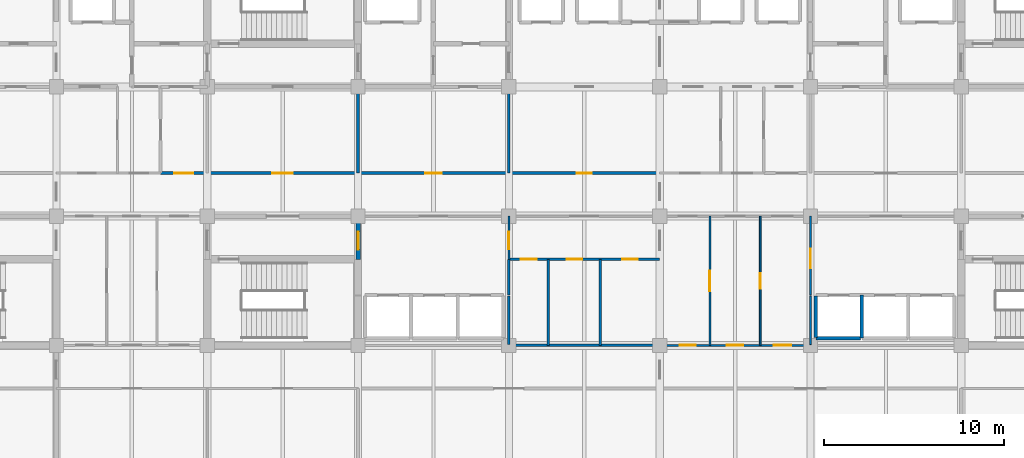
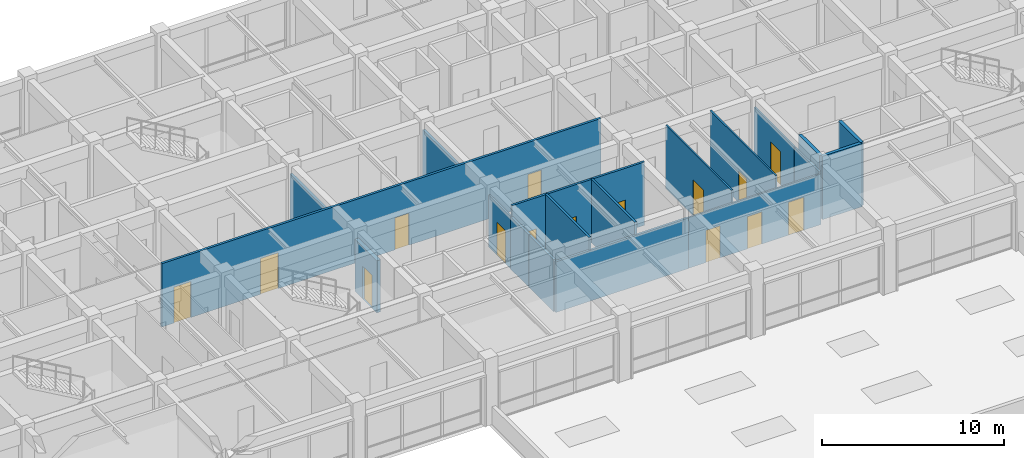
# One storey, part 22 of 40: 19 walls, 15 doors, 15 openings.
"""IFC4 building model written with IfcOpenShell, lengths in metres."""

from ifc_helpers import new_model, si_unit, direction, frame, frame_2d, origin, place, context, subcontext, project, spatial, rectangle, extrude, material, layer, layer_set, type_object, element, fill, save


model = new_model("IFC4")

# Units and contexts
model_context = context("Model", 3, precision=1e-05, world=origin(), true_north=direction((0.0, 1.0)))
body_context = subcontext(model_context, "Body", "Model", "MODEL_VIEW")
ifc_project = project(units=[si_unit("LENGTHUNIT", "METRE"), si_unit("AREAUNIT", "SQUARE_METRE"), si_unit("VOLUMEUNIT", "CUBIC_METRE"), si_unit("PLANEANGLEUNIT", "RADIAN"), si_unit("MASSUNIT", "GRAM", prefix="KILO")], contexts=[model_context])

# Site, building, storey
site_placement = place(None, origin())
site = spatial("IfcSite", under=ifc_project, at=site_placement, CompositionType="ELEMENT")
building_placement = place(site_placement, origin())
building = spatial("IfcBuilding", under=site, at=building_placement, Name="Chengyuan Square Courthouse", CompositionType="ELEMENT")
storey_placement = place(building_placement, frame((0.0, 0.0, 21.60009765625)))
storey = spatial("IfcBuildingStorey", under=building, at=storey_placement, Name="L05", CompositionType="ELEMENT", Elevation=21.60009765625)

# Wall, opening, door
ifc_material_1 = material(Name="Concrete C40", Category="concrete")
ifc_layer_1 = layer(ifc_material_1, 0.25)
ifc_layer_set_1 = layer_set([ifc_layer_1], Name="Concrete C40")
wall_type_1 = type_object("IfcWallType", Name="WL-FW1", PredefinedType="STANDARD", material=ifc_layer_set_1)
wall_1_placement = place(storey_placement, frame((67.199951171875, 91.199951171875, 0.0), z_axis=(0.0, 0.0, 1.0), x_axis=(0.0, 1.0, 0.0)))
wall_1 = element("IfcWall", 1, at=wall_1_placement, inside=storey, type_object=wall_type_1, Name="Interior Wall WL-L05-I2262", PredefinedType="STANDARD", context=body_context, shape_type="SweptSolid", body=[
    extrude(rectangle(XDim=2.400146484375, YDim=0.25, at=frame_2d((1.2001953125, 0.0))), origin(), (0.0, 0.0, 1.0), 3.489990234375),
])
opening_1_placement = place(wall_1_placement, frame((0.5400390625, 0.0, 0.0)))
opening_1 = element("IfcOpeningElement", 2, at=opening_1_placement, cuts=wall_1, Name="Opening DR-1931", PredefinedType="OPENING", context=body_context, shape_type="SweptSolid", body=[
    extrude(rectangle(XDim=1.0, YDim=2.199951171875, at=frame_2d((0.5, 1.10009765625))), frame((0.0, 0.136962890625, 0.0), z_axis=(0.0, -1.0, 0.0), x_axis=(1.0, 0.0, 0.0)), (0.0, 0.0, 1.0), 0.27392578125),
])
ifc_material_2 = material(Name="Steel Q235B Fire Door", Category="steel")
door_type_1 = type_object("IfcDoorType", Name="DT-11", OperationType="NOTDEFINED", PredefinedType="DOOR", material=ifc_material_2)
door_1_placement = place(opening_1_placement, origin())
door_1 = element("IfcDoor", 3, at=door_1_placement, inside=storey, type_object=door_type_1, Name="Interior Door DR-1931", OperationType="SINGLE_SWING_RIGHT", OverallHeight=2.199951171875, OverallWidth=1.0, PredefinedType="DOOR", context=body_context, shape_type="SweptSolid", body=[
    extrude(rectangle(XDim=1.0, YDim=2.199951171875, at=frame_2d((0.5, 1.10009765625))), frame((0.0, 0.02490234375, 0.0), z_axis=(0.0, -1.0, 0.0), x_axis=(1.0, 0.0, 0.0)), (0.0, 0.0, 1.0), 0.050048828125),
])
fill(opening_1, door_1)

# Wall, openings, doors
ifc_material_3 = material(Name="Deliberation Room Sound-Insulated Partition")
ifc_layer_2 = layer(ifc_material_3, 0.14990234375)
ifc_layer_set_2 = layer_set([ifc_layer_2], Name="Deliberation Room Sound-Insulated Partition")
wall_type_2 = type_object("IfcWallType", Name="WL-PT3", PredefinedType="STANDARD", material=ifc_layer_set_2)
wall_2_placement = place(storey_placement, frame((56.199951171875, 96.0, 0.0), z_axis=(0.0, 0.0, 1.0), x_axis=(1.0, 0.0, 0.0)))
wall_2 = element("IfcWall", 4, at=wall_2_placement, inside=storey, type_object=wall_type_2, Name="Interior Wall WL-L05-I2146", PredefinedType="STANDARD", context=body_context, shape_type="SweptSolid", body=[
    extrude(rectangle(XDim=27.800048828125, YDim=0.14990234375, at=frame_2d((13.89990234375, 0.0))), origin(), (0.0, 0.0, 1.0), 4.239990234375),
])
opening_2_placement = place(wall_2_placement, frame((0.77001953125, 0.0, 0.0)))
opening_2 = element("IfcOpeningElement", 5, at=opening_2_placement, cuts=wall_2, Name="Opening DR-2016", PredefinedType="OPENING", context=body_context, shape_type="SweptSolid", body=[
    extrude(rectangle(XDim=1.06005859375, YDim=2.39990234375, at=frame_2d((0.530029296875, 1.199951171875))), frame((0.0, 0.0869140625, 0.0), z_axis=(0.0, -1.0, 0.0), x_axis=(1.0, 0.0, 0.0)), (0.0, 0.0, 1.0), 0.173828125),
])
opening_3_placement = place(wall_2_placement, frame((6.22998046875, 0.0, 0.0)))
opening_3 = element("IfcOpeningElement", 6, at=opening_3_placement, cuts=wall_2, Name="Opening DR-2017", PredefinedType="OPENING", context=body_context, shape_type="SweptSolid", body=[
    extrude(rectangle(XDim=1.139892578125, YDim=2.39990234375, at=frame_2d((0.56982421875, 1.199951171875))), frame((0.0, 0.0869140625, 0.0), z_axis=(0.0, -1.0, 0.0), x_axis=(1.0, 0.0, 0.0)), (0.0, 0.0, 1.0), 0.173828125),
])
opening_4_placement = place(wall_2_placement, frame((14.75, 0.0, 0.0)))
opening_4 = element("IfcOpeningElement", 7, at=opening_4_placement, cuts=wall_2, Name="Opening DR-2018", PredefinedType="OPENING", context=body_context, shape_type="SweptSolid", body=[
    extrude(rectangle(XDim=0.89990234375, YDim=2.14990234375, at=frame_2d((0.449951171875, 1.074951171875))), frame((0.0, 0.0869140625, 0.0), z_axis=(0.0, -1.0, 0.0), x_axis=(1.0, 0.0, 0.0)), (0.0, 0.0, 1.0), 0.173828125),
])
opening_5_placement = place(wall_2_placement, frame((23.169921875, 0.0, 0.0)))
opening_5 = element("IfcOpeningElement", 8, at=opening_5_placement, cuts=wall_2, Name="Opening DR-2019", PredefinedType="OPENING", context=body_context, shape_type="SweptSolid", body=[
    extrude(rectangle(XDim=0.860107421875, YDim=2.10009765625, at=frame_2d((0.43017578125, 1.050048828125))), frame((0.0, 0.0869140625, 0.0), z_axis=(0.0, -1.0, 0.0), x_axis=(1.0, 0.0, 0.0)), (0.0, 0.0, 1.0), 0.173828125),
])
ifc_material_4 = material(Name="Acoustic Solid-Core Timber Door", Category="wood")
door_type_2 = type_object("IfcDoorType", Name="DT-27", OperationType="NOTDEFINED", PredefinedType="DOOR", material=ifc_material_4)
door_2_placement = place(opening_4_placement, origin())
door_2 = element("IfcDoor", 9, at=door_2_placement, inside=storey, type_object=door_type_2, Name="Interior Door DR-2018", OperationType="SINGLE_SWING_RIGHT", OverallHeight=2.14990234375, OverallWidth=0.89990234375, PredefinedType="DOOR", context=body_context, shape_type="SweptSolid", body=[
    extrude(rectangle(XDim=0.89990234375, YDim=2.14990234375, at=frame_2d((0.449951171875, 1.074951171875))), frame((0.0, 0.02490234375, 0.0), z_axis=(0.0, -1.0, 0.0), x_axis=(1.0, 0.0, 0.0)), (0.0, 0.0, 1.0), 0.050048828125),
])
fill(opening_4, door_2)
door_type_3 = type_object("IfcDoorType", Name="DT-28", OperationType="NOTDEFINED", PredefinedType="DOOR", material=ifc_material_4)
door_3_placement = place(opening_5_placement, origin())
door_3 = element("IfcDoor", 10, at=door_3_placement, inside=storey, type_object=door_type_3, Name="Interior Door DR-2019", OperationType="SINGLE_SWING_LEFT", OverallHeight=2.10009765625, OverallWidth=0.860107421875, PredefinedType="DOOR", context=body_context, shape_type="SweptSolid", body=[
    extrude(rectangle(XDim=0.860107421875, YDim=2.10009765625, at=frame_2d((0.43017578125, 1.050048828125))), frame((0.0, 0.02490234375, 0.0), z_axis=(0.0, -1.0, 0.0), x_axis=(1.0, 0.0, 0.0)), (0.0, 0.0, 1.0), 0.050048828125),
])
fill(opening_5, door_3)
door_type_4 = type_object("IfcDoorType", Name="DT-42", OperationType="NOTDEFINED", PredefinedType="DOOR", material=ifc_material_4)
door_4_placement = place(opening_2_placement, origin())
door_4 = element("IfcDoor", 11, at=door_4_placement, inside=storey, type_object=door_type_4, Name="Interior Door DR-2016", OperationType="SINGLE_SWING_RIGHT", OverallHeight=2.39990234375, OverallWidth=1.06005859375, PredefinedType="DOOR", context=body_context, shape_type="SweptSolid", body=[
    extrude(rectangle(XDim=1.06005859375, YDim=2.39990234375, at=frame_2d((0.530029296875, 1.199951171875))), frame((0.0, 0.02490234375, 0.0), z_axis=(0.0, -1.0, 0.0), x_axis=(1.0, 0.0, 0.0)), (0.0, 0.0, 1.0), 0.050048828125),
])
fill(opening_2, door_4)
door_type_5 = type_object("IfcDoorType", Name="DT-43", OperationType="NOTDEFINED", PredefinedType="DOOR", material=ifc_material_4)
door_5_placement = place(opening_3_placement, origin())
door_5 = element("IfcDoor", 12, at=door_5_placement, inside=storey, type_object=door_type_5, Name="Interior Door DR-2017", OperationType="SINGLE_SWING_LEFT", OverallHeight=2.39990234375, OverallWidth=1.139892578125, PredefinedType="DOOR", context=body_context, shape_type="SweptSolid", body=[
    extrude(rectangle(XDim=1.139892578125, YDim=2.39990234375, at=frame_2d((0.56982421875, 1.199951171875))), frame((0.0, 0.02490234375, 0.0), z_axis=(0.0, -1.0, 0.0), x_axis=(1.0, 0.0, 0.0)), (0.0, 0.0, 1.0), 0.050048828125),
])
fill(opening_3, door_5)

# Walls
for number, where, z_axis, x_axis, name in (
    (13, (67.199951171875, 96.0, 0.0), (0.0, 0.0, 1.0), (0.0, 1.0, 0.0), "Interior Wall WL-L05-I2263"),
    (14, (75.60009765625, 96.0, 0.0), (0.0, 0.0, 1.0), (0.0, 1.0, 0.0), "Interior Wall WL-L05-I2279"),
):
    element("IfcWall", number, at=place(storey_placement, frame(where, z_axis=z_axis, x_axis=x_axis)), inside=storey, type_object=wall_type_2, Name=name, PredefinedType="STANDARD", context=body_context, shape_type="SweptSolid", body=[
        extrude(rectangle(XDim=4.800048828125, YDim=0.14990234375, at=frame_2d((2.39990234375, 0.0))), origin(), (0.0, 0.0, 1.0), 3.489990234375),
    ])
ifc_material_5 = material(Name="Moisture-Resistant Masonry Wet-Room Partition", Category="masonry")
ifc_layer_3 = layer(ifc_material_5, 0.139892578125)
ifc_layer_set_3 = layer_set([ifc_layer_3], Name="Moisture-Resistant Masonry Wet-Room Partition")
wall_type_3 = type_object("IfcWallType", Name="WL-PT4", PredefinedType="STANDARD", material=ifc_layer_set_3)
wall_3_placement = place(storey_placement, frame((75.60009765625, 86.39990234375, 0.0), z_axis=(0.0, 0.0, 1.0), x_axis=(1.0, 0.0, 0.0)))
element("IfcWall", 15, at=wall_3_placement, inside=storey, type_object=wall_type_3, Name="Interior Wall WL-L05-I2114", PredefinedType="STANDARD", context=body_context, shape_type="SweptSolid", body=[
    extrude(rectangle(XDim=8.39990234375, YDim=0.139892578125, at=frame_2d((4.199951171875, 0.0))), origin(), (0.0, 0.0, 1.0), 3.389892578125),
])

# Wall, openings, doors
wall_4_placement = place(storey_placement, frame((75.60009765625, 91.199951171875, 0.0), z_axis=(0.0, 0.0, 1.0), x_axis=(1.0, 0.0, 0.0)))
wall_4 = element("IfcWall", 16, at=wall_4_placement, inside=storey, type_object=wall_type_3, Name="Interior Wall WL-L05-I2131", PredefinedType="STANDARD", context=body_context, shape_type="SweptSolid", body=[
    extrude(rectangle(XDim=8.39990234375, YDim=0.139892578125, at=frame_2d((4.199951171875, 0.0))), origin(), (0.0, 0.0, 1.0), 4.239990234375),
])
opening_6_placement = place(wall_4_placement, frame((0.64990234375, 0.0, 0.0)))
opening_6 = element("IfcOpeningElement", 17, at=opening_6_placement, cuts=wall_4, Name="Opening DR-1998", PredefinedType="OPENING", context=body_context, shape_type="SweptSolid", body=[
    extrude(rectangle(XDim=0.89990234375, YDim=2.14990234375, at=frame_2d((0.449951171875, 1.074951171875))), frame((0.0, 0.08203125, 0.0), z_axis=(0.0, -1.0, 0.0), x_axis=(1.0, 0.0, 0.0)), (0.0, 0.0, 1.0), 0.163818359375),
])
opening_7_placement = place(wall_4_placement, frame((3.219970703125, 0.0, 0.0)))
opening_7 = element("IfcOpeningElement", 18, at=opening_7_placement, cuts=wall_4, Name="Opening DR-1999", PredefinedType="OPENING", context=body_context, shape_type="SweptSolid", body=[
    extrude(rectangle(XDim=0.860107421875, YDim=2.10009765625, at=frame_2d((0.43017578125, 1.050048828125))), frame((0.0, 0.08203125, 0.0), z_axis=(0.0, -1.0, 0.0), x_axis=(1.0, 0.0, 0.0)), (0.0, 0.0, 1.0), 0.163818359375),
])
opening_8_placement = place(wall_4_placement, frame((6.320068359375, 0.0, 0.0)))
opening_8 = element("IfcOpeningElement", 19, at=opening_8_placement, cuts=wall_4, Name="Opening DR-2000", PredefinedType="OPENING", context=body_context, shape_type="SweptSolid", body=[
    extrude(rectangle(XDim=0.860107421875, YDim=2.10009765625, at=frame_2d((0.43017578125, 1.050048828125))), frame((0.0, 0.08203125, 0.0), z_axis=(0.0, -1.0, 0.0), x_axis=(1.0, 0.0, 0.0)), (0.0, 0.0, 1.0), 0.163818359375),
])
door_6_placement = place(opening_6_placement, origin())
door_6 = element("IfcDoor", 20, at=door_6_placement, inside=storey, type_object=door_type_2, Name="Interior Door DR-1998", OperationType="SINGLE_SWING_RIGHT", OverallHeight=2.14990234375, OverallWidth=0.89990234375, PredefinedType="DOOR", context=body_context, shape_type="SweptSolid", body=[
    extrude(rectangle(XDim=0.89990234375, YDim=2.14990234375, at=frame_2d((0.449951171875, 1.074951171875))), frame((0.0, 0.02490234375, 0.0), z_axis=(0.0, -1.0, 0.0), x_axis=(1.0, 0.0, 0.0)), (0.0, 0.0, 1.0), 0.050048828125),
])
fill(opening_6, door_6)
door_7_placement = place(opening_7_placement, origin())
door_7 = element("IfcDoor", 21, at=door_7_placement, inside=storey, type_object=door_type_3, Name="Interior Door DR-1999", OperationType="SINGLE_SWING_LEFT", OverallHeight=2.10009765625, OverallWidth=0.860107421875, PredefinedType="DOOR", context=body_context, shape_type="SweptSolid", body=[
    extrude(rectangle(XDim=0.860107421875, YDim=2.10009765625, at=frame_2d((0.43017578125, 1.050048828125))), frame((0.0, 0.02490234375, 0.0), z_axis=(0.0, -1.0, 0.0), x_axis=(1.0, 0.0, 0.0)), (0.0, 0.0, 1.0), 0.050048828125),
])
fill(opening_7, door_7)
door_8_placement = place(opening_8_placement, origin())
door_8 = element("IfcDoor", 22, at=door_8_placement, inside=storey, type_object=door_type_3, Name="Interior Door DR-2000", OperationType="SINGLE_SWING_RIGHT", OverallHeight=2.10009765625, OverallWidth=0.860107421875, PredefinedType="DOOR", context=body_context, shape_type="SweptSolid", body=[
    extrude(rectangle(XDim=0.860107421875, YDim=2.10009765625, at=frame_2d((0.43017578125, 1.050048828125))), frame((0.0, 0.02490234375, 0.0), z_axis=(0.0, -1.0, 0.0), x_axis=(1.0, 0.0, 0.0)), (0.0, 0.0, 1.0), 0.050048828125),
])
fill(opening_8, door_8)

# Walls
wall_5_placement = place(storey_placement, frame((75.60009765625, 86.449951171875, 0.0), z_axis=(0.0, 0.0, 1.0), x_axis=(0.0, 1.0, 0.0)))
element("IfcWall", 23, at=wall_5_placement, inside=storey, type_object=wall_type_3, Name="Interior Wall WL-L05-I2276", PredefinedType="STANDARD", context=body_context, shape_type="SweptSolid", body=[
    extrude(rectangle(XDim=2.699951171875, YDim=0.139892578125, at=frame_2d((1.35009765625, 0.0))), origin(), (0.0, 0.0, 1.0), 3.489990234375),
])
wall_6_placement = place(storey_placement, frame((75.60009765625, 89.199951171875, 0.0), z_axis=(0.0, 0.0, 1.0), x_axis=(0.0, 1.0, 0.0)))
element("IfcWall", 24, at=wall_6_placement, inside=storey, type_object=wall_type_3, Name="Interior Wall WL-L05-I2277", PredefinedType="STANDARD", context=body_context, shape_type="SweptSolid", body=[
    extrude(rectangle(XDim=2.0, YDim=0.139892578125, at=frame_2d((1.0, 0.0))), origin(), (0.0, 0.0, 1.0), 3.489990234375),
])
for number, where, z_axis, x_axis, name in (
    (25, (77.800048828125, 86.39990234375, 0.0), (0.0, 0.0, 1.0), (0.0, 1.0, 0.0), "Interior Wall WL-L05-I2284"),
    (26, (80.699951171875, 86.39990234375, 0.0), (0.0, 0.0, 1.0), (0.0, 1.0, 0.0), "Interior Wall WL-L05-I2287"),
):
    element("IfcWall", number, at=place(storey_placement, frame(where, z_axis=z_axis, x_axis=x_axis)), inside=storey, type_object=wall_type_3, Name=name, PredefinedType="STANDARD", context=body_context, shape_type="SweptSolid", body=[
        extrude(rectangle(XDim=4.800048828125, YDim=0.139892578125, at=frame_2d((2.39990234375, 0.0))), origin(), (0.0, 0.0, 1.0), 4.239990234375),
    ])

# Wall, openings, doors
ifc_material_6 = material(Name="Gypsum Plasterboard Acoustic Stud Partition")
ifc_layer_4 = layer(ifc_material_6, 0.10009765625)
ifc_layer_set_4 = layer_set([ifc_layer_4], Name="Gypsum Plasterboard Acoustic Stud Partition")
wall_type_4 = type_object("IfcWallType", Name="WL-PT6", PredefinedType="STANDARD", material=ifc_layer_set_4)
wall_7_placement = place(storey_placement, frame((84.0, 86.39990234375, 0.0), z_axis=(0.0, 0.0, 1.0), x_axis=(1.0, 0.0, 0.0)))
wall_7 = element("IfcWall", 27, at=wall_7_placement, inside=storey, type_object=wall_type_4, Name="Interior Wall WL-L05-I2115", PredefinedType="STANDARD", context=body_context, shape_type="SweptSolid", body=[
    extrude(rectangle(XDim=8.39990234375, YDim=0.10009765625, at=frame_2d((4.199951171875, 0.0))), origin(), (0.0, 0.0, 1.0), 3.389892578125),
])
opening_9_placement = place(wall_7_placement, frame((1.110107421875, 0.0, 0.0)))
opening_9 = element("IfcOpeningElement", 28, at=opening_9_placement, cuts=wall_7, Name="Opening DR-2069", PredefinedType="OPENING", context=body_context, shape_type="SweptSolid", body=[
    extrude(rectangle(XDim=0.89990234375, YDim=2.14990234375, at=frame_2d((0.449951171875, 1.074951171875))), frame((0.0, 0.06201171875, 0.0), z_axis=(0.0, -1.0, 0.0), x_axis=(1.0, 0.0, 0.0)), (0.0, 0.0, 1.0), 0.1240234375),
])
opening_10_placement = place(wall_7_placement, frame((3.739990234375, 0.0, 0.0)))
opening_10 = element("IfcOpeningElement", 29, at=opening_10_placement, cuts=wall_7, Name="Opening DR-2071", PredefinedType="OPENING", context=body_context, shape_type="SweptSolid", body=[
    extrude(rectangle(XDim=0.919921875, YDim=2.14990234375, at=frame_2d((0.4599609375, 1.074951171875))), frame((0.0, 0.06201171875, 0.0), z_axis=(0.0, -1.0, 0.0), x_axis=(1.0, 0.0, 0.0)), (0.0, 0.0, 1.0), 0.1240234375),
])
opening_11_placement = place(wall_7_placement, frame((6.360107421875, 0.0, 0.0)))
opening_11 = element("IfcOpeningElement", 30, at=opening_11_placement, cuts=wall_7, Name="Opening DR-2072", PredefinedType="OPENING", context=body_context, shape_type="SweptSolid", body=[
    extrude(rectangle(XDim=0.9599609375, YDim=2.199951171875, at=frame_2d((0.47998046875, 1.10009765625))), frame((0.0, 0.06201171875, 0.0), z_axis=(0.0, -1.0, 0.0), x_axis=(1.0, 0.0, 0.0)), (0.0, 0.0, 1.0), 0.1240234375),
])
door_9_placement = place(opening_9_placement, origin())
door_9 = element("IfcDoor", 31, at=door_9_placement, inside=storey, type_object=door_type_2, Name="Interior Door DR-2069", OperationType="SINGLE_SWING_LEFT", OverallHeight=2.14990234375, OverallWidth=0.89990234375, PredefinedType="DOOR", context=body_context, shape_type="SweptSolid", body=[
    extrude(rectangle(XDim=0.89990234375, YDim=2.14990234375, at=frame_2d((0.449951171875, 1.074951171875))), frame((0.0, 0.02490234375, 0.0), z_axis=(0.0, -1.0, 0.0), x_axis=(1.0, 0.0, 0.0)), (0.0, 0.0, 1.0), 0.050048828125),
])
fill(opening_9, door_9)
door_type_6 = type_object("IfcDoorType", Name="DT-29", OperationType="NOTDEFINED", PredefinedType="DOOR", material=ifc_material_4)
door_10_placement = place(opening_10_placement, origin())
door_10 = element("IfcDoor", 32, at=door_10_placement, inside=storey, type_object=door_type_6, Name="Interior Door DR-2071", OperationType="SINGLE_SWING_LEFT", OverallHeight=2.14990234375, OverallWidth=0.919921875, PredefinedType="DOOR", context=body_context, shape_type="SweptSolid", body=[
    extrude(rectangle(XDim=0.919921875, YDim=2.14990234375, at=frame_2d((0.4599609375, 1.074951171875))), frame((0.0, 0.02490234375, 0.0), z_axis=(0.0, -1.0, 0.0), x_axis=(1.0, 0.0, 0.0)), (0.0, 0.0, 1.0), 0.050048828125),
])
fill(opening_10, door_10)
door_type_7 = type_object("IfcDoorType", Name="DT-30", OperationType="NOTDEFINED", PredefinedType="DOOR", material=ifc_material_4)
door_11_placement = place(opening_11_placement, origin())
door_11 = element("IfcDoor", 33, at=door_11_placement, inside=storey, type_object=door_type_7, Name="Interior Door DR-2072", OperationType="SINGLE_SWING_RIGHT", OverallHeight=2.199951171875, OverallWidth=0.9599609375, PredefinedType="DOOR", context=body_context, shape_type="SweptSolid", body=[
    extrude(rectangle(XDim=0.9599609375, YDim=2.199951171875, at=frame_2d((0.47998046875, 1.10009765625))), frame((0.0, 0.02490234375, 0.0), z_axis=(0.0, -1.0, 0.0), x_axis=(1.0, 0.0, 0.0)), (0.0, 0.0, 1.0), 0.050048828125),
])
fill(opening_11, door_11)

# Wall, opening, door
wall_8_placement = place(storey_placement, frame((75.60009765625, 91.199951171875, 0.0), z_axis=(0.0, 0.0, 1.0), x_axis=(0.0, 1.0, 0.0)))
wall_8 = element("IfcWall", 34, at=wall_8_placement, inside=storey, type_object=wall_type_4, Name="Interior Wall WL-L05-I2278", PredefinedType="STANDARD", context=body_context, shape_type="SweptSolid", body=[
    extrude(rectangle(XDim=2.400146484375, YDim=0.10009765625, at=frame_2d((1.2001953125, 0.0))), origin(), (0.0, 0.0, 1.0), 3.489990234375),
])
opening_12_placement = place(wall_8_placement, frame((0.56005859375, 0.0, 0.0)))
opening_12 = element("IfcOpeningElement", 35, at=opening_12_placement, cuts=wall_8, Name="Opening DR-1970", PredefinedType="OPENING", context=body_context, shape_type="SweptSolid", body=[
    extrude(rectangle(XDim=0.9599609375, YDim=2.199951171875, at=frame_2d((0.47998046875, 1.10009765625))), frame((0.0, 0.06201171875, 0.0), z_axis=(0.0, -1.0, 0.0), x_axis=(1.0, 0.0, 0.0)), (0.0, 0.0, 1.0), 0.1240234375),
])
door_12_placement = place(opening_12_placement, origin())
door_12 = element("IfcDoor", 36, at=door_12_placement, inside=storey, type_object=door_type_7, Name="Interior Door DR-1970", OperationType="SINGLE_SWING_RIGHT", OverallHeight=2.199951171875, OverallWidth=0.9599609375, PredefinedType="DOOR", context=body_context, shape_type="SweptSolid", body=[
    extrude(rectangle(XDim=0.9599609375, YDim=2.199951171875, at=frame_2d((0.47998046875, 1.10009765625))), frame((0.0, 0.02490234375, 0.0), z_axis=(0.0, -1.0, 0.0), x_axis=(1.0, 0.0, 0.0)), (0.0, 0.0, 1.0), 0.050048828125),
])
fill(opening_12, door_12)

wall_9_placement = place(storey_placement, frame((86.800048828125, 86.39990234375, 0.0), z_axis=(0.0, 0.0, 1.0), x_axis=(0.0, 1.0, 0.0)))
wall_9 = element("IfcWall", 37, at=wall_9_placement, inside=storey, type_object=wall_type_4, Name="Interior Wall WL-L05-I2293", PredefinedType="STANDARD", context=body_context, shape_type="SweptSolid", body=[
    extrude(rectangle(XDim=7.2001953125, YDim=0.10009765625, at=frame_2d((3.60009765625, 0.0))), origin(), (0.0, 0.0, 1.0), 4.239990234375),
])
opening_13_placement = place(wall_9_placement, frame((3.030029296875, 0.0, 0.0)))
opening_13 = element("IfcOpeningElement", 38, at=opening_13_placement, cuts=wall_9, Name="Opening DR-2068", PredefinedType="OPENING", context=body_context, shape_type="SweptSolid", body=[
    extrude(rectangle(XDim=1.139892578125, YDim=2.39990234375, at=frame_2d((0.56982421875, 1.199951171875))), frame((0.0, 0.06201171875, 0.0), z_axis=(0.0, -1.0, 0.0), x_axis=(1.0, 0.0, 0.0)), (0.0, 0.0, 1.0), 0.1240234375),
])
door_13_placement = place(opening_13_placement, origin())
door_13 = element("IfcDoor", 39, at=door_13_placement, inside=storey, type_object=door_type_5, Name="Interior Door DR-2068", OperationType="SINGLE_SWING_RIGHT", OverallHeight=2.39990234375, OverallWidth=1.139892578125, PredefinedType="DOOR", context=body_context, shape_type="SweptSolid", body=[
    extrude(rectangle(XDim=1.139892578125, YDim=2.39990234375, at=frame_2d((0.56982421875, 1.199951171875))), frame((0.0, 0.02490234375, 0.0), z_axis=(0.0, -1.0, 0.0), x_axis=(1.0, 0.0, 0.0)), (0.0, 0.0, 1.0), 0.050048828125),
])
fill(opening_13, door_13)

wall_10_placement = place(storey_placement, frame((89.60009765625, 86.39990234375, 0.0), z_axis=(0.0, 0.0, 1.0), x_axis=(0.0, 1.0, 0.0)))
wall_10 = element("IfcWall", 40, at=wall_10_placement, inside=storey, type_object=wall_type_4, Name="Interior Wall WL-L05-I2297", PredefinedType="STANDARD", context=body_context, shape_type="SweptSolid", body=[
    extrude(rectangle(XDim=7.2001953125, YDim=0.10009765625, at=frame_2d((3.60009765625, 0.0))), origin(), (0.0, 0.0, 1.0), 4.239990234375),
])
opening_14_placement = place(wall_10_placement, frame((3.169921875, 0.0, 0.0)))
opening_14 = element("IfcOpeningElement", 41, at=opening_14_placement, cuts=wall_10, Name="Opening DR-2070", PredefinedType="OPENING", context=body_context, shape_type="SweptSolid", body=[
    extrude(rectangle(XDim=0.860107421875, YDim=2.10009765625, at=frame_2d((0.43017578125, 1.050048828125))), frame((0.0, 0.06201171875, 0.0), z_axis=(0.0, -1.0, 0.0), x_axis=(1.0, 0.0, 0.0)), (0.0, 0.0, 1.0), 0.1240234375),
])
door_14_placement = place(opening_14_placement, origin())
door_14 = element("IfcDoor", 42, at=door_14_placement, inside=storey, type_object=door_type_3, Name="Interior Door DR-2070", OperationType="SINGLE_SWING_RIGHT", OverallHeight=2.10009765625, OverallWidth=0.860107421875, PredefinedType="DOOR", context=body_context, shape_type="SweptSolid", body=[
    extrude(rectangle(XDim=0.860107421875, YDim=2.10009765625, at=frame_2d((0.43017578125, 1.050048828125))), frame((0.0, 0.02490234375, 0.0), z_axis=(0.0, -1.0, 0.0), x_axis=(1.0, 0.0, 0.0)), (0.0, 0.0, 1.0), 0.050048828125),
])
fill(opening_14, door_14)

# Wall
wall_11_placement = place(storey_placement, frame((92.39990234375, 86.449951171875, 0.0), z_axis=(0.0, 0.0, 1.0), x_axis=(0.0, 1.0, 0.0)))
element("IfcWall", 43, at=wall_11_placement, inside=storey, type_object=wall_type_4, Name="Interior Wall WL-L05-I2300", PredefinedType="STANDARD", context=body_context, shape_type="SweptSolid", body=[
    extrude(rectangle(XDim=2.699951171875, YDim=0.10009765625, at=frame_2d((1.35009765625, 0.0))), origin(), (0.0, 0.0, 1.0), 3.489990234375),
])

# Wall, opening, door
wall_12_placement = place(storey_placement, frame((92.39990234375, 89.199951171875, 0.0), z_axis=(0.0, 0.0, 1.0), x_axis=(0.0, 1.0, 0.0)))
wall_12 = element("IfcWall", 44, at=wall_12_placement, inside=storey, type_object=wall_type_4, Name="Interior Wall WL-L05-I2301", PredefinedType="STANDARD", context=body_context, shape_type="SweptSolid", body=[
    extrude(rectangle(XDim=4.400146484375, YDim=0.10009765625, at=frame_2d((2.2001953125, 0.0))), origin(), (0.0, 0.0, 1.0), 3.489990234375),
])
opening_15_placement = place(wall_12_placement, frame((1.5, 0.0, 0.0)))
opening_15 = element("IfcOpeningElement", 45, at=opening_15_placement, cuts=wall_12, Name="Opening DR-1973", PredefinedType="OPENING", context=body_context, shape_type="SweptSolid", body=[
    extrude(rectangle(XDim=1.080078125, YDim=2.25, at=frame_2d((0.5400390625, 1.125))), frame((0.0, 0.06201171875, 0.0), z_axis=(0.0, -1.0, 0.0), x_axis=(1.0, 0.0, 0.0)), (0.0, 0.0, 1.0), 0.1240234375),
])
door_type_8 = type_object("IfcDoorType", Name="DT-33", OperationType="NOTDEFINED", PredefinedType="DOOR", material=ifc_material_4)
door_15_placement = place(opening_15_placement, origin())
door_15 = element("IfcDoor", 46, at=door_15_placement, inside=storey, type_object=door_type_8, Name="Interior Door DR-1973", OperationType="SINGLE_SWING_LEFT", OverallHeight=2.25, OverallWidth=1.080078125, PredefinedType="DOOR", context=body_context, shape_type="SweptSolid", body=[
    extrude(rectangle(XDim=1.080078125, YDim=2.25, at=frame_2d((0.5400390625, 1.125))), frame((0.0, 0.02490234375, 0.0), z_axis=(0.0, -1.0, 0.0), x_axis=(1.0, 0.0, 0.0)), (0.0, 0.0, 1.0), 0.050048828125),
])
fill(opening_15, door_15)

# Walls
ifc_material_7 = material(Name="Reinforced Masonry Shaft Enclosure", Category="masonry")
ifc_layer_5 = layer(ifc_material_7, 0.199951171875)
ifc_layer_set_5 = layer_set([ifc_layer_5], Name="Reinforced Masonry Shaft Enclosure")
wall_type_5 = type_object("IfcWallType", Name="WL-SH1", PredefinedType="STANDARD", material=ifc_layer_set_5)
wall_13_placement = place(storey_placement, frame((92.699951171875, 86.800048828125, 0.0), z_axis=(0.0, 0.0, 1.0), x_axis=(1.0, 0.0, 0.0)))
element("IfcWall", 47, at=wall_13_placement, inside=storey, type_object=wall_type_5, Name="Interior Wall WL-L05-I2124", PredefinedType="STANDARD", context=body_context, shape_type="SweptSolid", body=[
    extrude(rectangle(XDim=2.5, YDim=0.199951171875, at=frame_2d((1.25, 0.0))), origin(), (0.0, 0.0, 1.0), 4.239990234375),
])
wall_14_placement = place(storey_placement, frame((92.699951171875, 86.85009765625, 0.0), z_axis=(0.0, 0.0, 1.0), x_axis=(0.0, 1.0, 0.0)))
element("IfcWall", 48, at=wall_14_placement, inside=storey, type_object=wall_type_5, Name="Interior Wall WL-L05-I2306", PredefinedType="STANDARD", context=body_context, shape_type="SweptSolid", body=[
    extrude(rectangle(XDim=2.2998046875, YDim=0.199951171875, at=frame_2d((1.14990234375, 0.0))), origin(), (0.0, 0.0, 1.0), 4.239990234375),
])
wall_15_placement = place(storey_placement, frame((95.25, 86.800048828125, 0.0), z_axis=(0.0, 0.0, 1.0), x_axis=(0.0, 1.0, 0.0)))
element("IfcWall", 49, at=wall_15_placement, inside=storey, type_object=wall_type_5, Name="Interior Wall WL-L05-I2307", PredefinedType="STANDARD", context=body_context, shape_type="SweptSolid", body=[
    extrude(rectangle(XDim=2.39990234375, YDim=0.199951171875, at=frame_2d((1.199951171875, 0.0))), origin(), (0.0, 0.0, 1.0), 4.239990234375),
])

save(model, "model.ifc")
